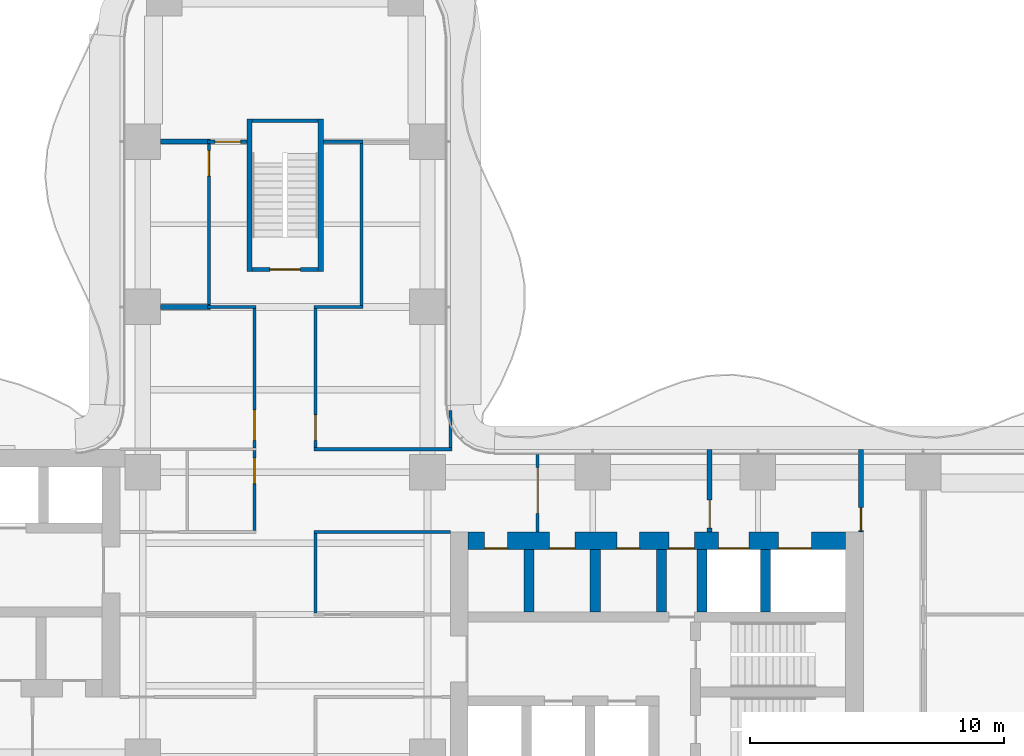
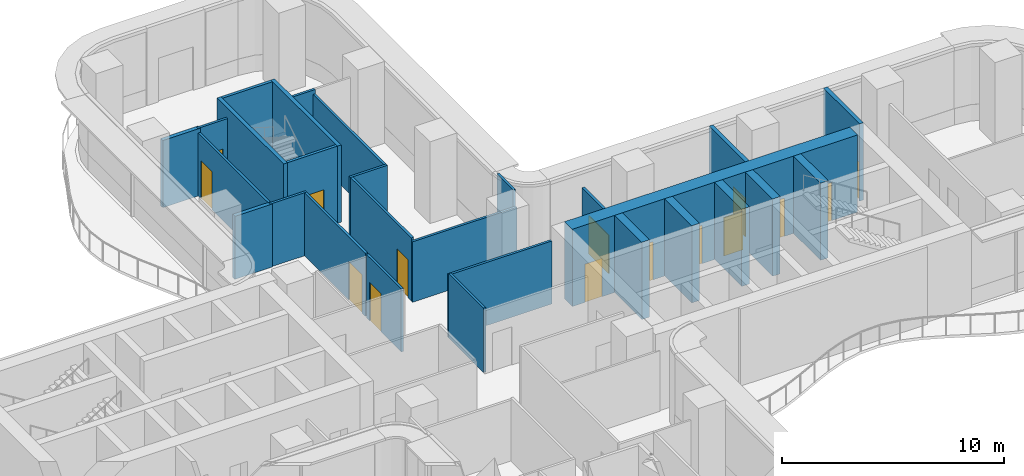
# One storey, part 19 of 22: 28 walls, 15 doors, 15 openings.
"""IFC4 building model written with IfcOpenShell, lengths in metres."""

from ifc_helpers import new_model, si_unit, direction, frame, frame_2d, origin, place, context, subcontext, project, spatial, rectangle, extrude, source, transform, mapped, material, layer, layer_set, type_object, element, fill, save


model = new_model("IFC4")

# Units and contexts
model_context = context("Model", 3, precision=1e-05, world=origin(), true_north=direction((0.0, 1.0)))
body_context = subcontext(model_context, "Body", "Model", "MODEL_VIEW")
ifc_project = project(units=[si_unit("LENGTHUNIT", "METRE"), si_unit("AREAUNIT", "SQUARE_METRE"), si_unit("VOLUMEUNIT", "CUBIC_METRE"), si_unit("PLANEANGLEUNIT", "RADIAN"), si_unit("MASSUNIT", "GRAM", prefix="KILO")], contexts=[model_context])

# Site, building, storey
site_placement = place(None, origin())
site = spatial("IfcSite", under=ifc_project, at=site_placement, CompositionType="ELEMENT")
building_placement = place(site_placement, origin())
building = spatial("IfcBuilding", under=site, at=building_placement, Name="Trellis Farm Tower", CompositionType="ELEMENT")
storey_placement = place(building_placement, frame((0.0, 0.0, 70.0)))
storey = spatial("IfcBuildingStorey", under=building, at=storey_placement, Name="L14", CompositionType="ELEMENT", Elevation=70.0)

# Walls
ifc_material_1 = material(Name="Concrete C80/95", Category="concrete")
ifc_layer_1 = layer(ifc_material_1, 0.39990234375)
ifc_layer_set_1 = layer_set([ifc_layer_1], Name="CORE INNER WALL 400 CONCRETE C80/95")
wall_type_1 = type_object("IfcWallType", Name="CORE INNER WALL 400 CONCRETE C80/95", PredefinedType="SHEAR", material=ifc_layer_set_1)
shared_shape_1 = source(origin(), body_context, "Body", "SweptSolid", [
    extrude(rectangle(XDim=2.449951171875, YDim=0.39990234375, at=frame_2d((1.22509765625, 0.0))), origin(), (0.0, 0.0, 1.0), 4.25),
])
for number, where, z_axis, x_axis, name in (
    (1, (9.60009765625, 0.10009765625, 0.0), (0.0, 0.0, 1.0), (0.0, 1.0, 0.0), "Core wall"),
    (2, (12.199951171875, 0.10009765625, 0.0), (0.0, 0.0, 1.0), (0.0, 1.0, 0.0), "Core wall"),
    (3, (14.800048828125, 0.10009765625, 0.0), (0.0, 0.0, 1.0), (0.0, 1.0, 0.0), "Core wall"),
    (4, (16.39990234375, 0.10009765625, 0.0), (0.0, 0.0, 1.0), (0.0, 1.0, 0.0), "Core wall"),
    (5, (18.89990234375, 0.10009765625, 0.0), (0.0, 0.0, 1.0), (0.0, 1.0, 0.0), "Core wall"),
):
    element("IfcWall", number, at=place(storey_placement, frame(where, z_axis=z_axis, x_axis=x_axis)), inside=storey, type_object=wall_type_1, Name=name, PredefinedType="SHEAR", context=body_context, shape_type="MappedRepresentation", body=[
        mapped(shared_shape_1, transform((0.0, 0.0, 0.0))),
    ])

# Wall, opening, door
ifc_material_2 = material(Name="Masonry blockwork", Category="masonry")
ifc_layer_2 = layer(ifc_material_2, 0.199951171875)
ifc_layer_set_2 = layer_set([ifc_layer_2], Name="FIRE LOBBY PARTITION 200 BLOCKWORK")
wall_type_2 = type_object("IfcWallType", Name="FIRE LOBBY PARTITION 200 BLOCKWORK", PredefinedType="PARTITIONING", material=ifc_layer_set_2)
shared_shape_2 = source(origin(), body_context, "Body", "SweptSolid", [
    extrude(rectangle(XDim=3.25, YDim=0.199951171875, at=frame_2d((1.625, 0.0))), origin(), (0.0, 0.0, 1.0), 4.25),
])
wall_1_placement = place(storey_placement, frame((16.699951171875, 3.25, 0.0), z_axis=(0.0, 0.0, 1.0), x_axis=(0.0, 1.0, 0.0)))
wall_1 = element("IfcWall", 6, at=wall_1_placement, inside=storey, type_object=wall_type_2, Name="Fire-fighting lobby partition", PredefinedType="PARTITIONING", context=body_context, shape_type="MappedRepresentation", body=[
    mapped(shared_shape_2, transform((0.0, 0.0, 0.0))),
])
shared_shape_3 = source(origin(), body_context, "Body", "SweptSolid", [
    extrude(rectangle(XDim=1.10009765625, YDim=2.10009765625, at=frame_2d((0.550048828125, 1.050048828125))), frame((0.0, 0.110107421875, 0.0), z_axis=(0.0, -1.0, 0.0), x_axis=(1.0, 0.0, 0.0)), (0.0, 0.0, 1.0), 0.22021484375),
])
opening_1_placement = place(wall_1_placement, frame((0.14990234375, 0.0, 0.0)))
opening_1 = element("IfcOpeningElement", 7, at=opening_1_placement, cuts=wall_1, Name="Opening DC7", PredefinedType="OPENING", context=body_context, shape_type="MappedRepresentation", body=[
    mapped(shared_shape_3, transform((0.0, 0.0, 0.0))),
])
ifc_material_3 = material(Name="Steel", Category="steel")
door_type_1 = type_object("IfcDoorType", Name="CORE FIRE DOOR 1100 X 2100", OperationType="NOTDEFINED", PredefinedType="DOOR", material=ifc_material_3)
shared_shape_4 = source(origin(), body_context, "Body", "SweptSolid", [
    extrude(rectangle(XDim=1.10009765625, YDim=2.10009765625, at=frame_2d((0.550048828125, 1.050048828125))), frame((0.0, 0.02490234375, 0.0), z_axis=(0.0, -1.0, 0.0), x_axis=(1.0, 0.0, 0.0)), (0.0, 0.0, 1.0), 0.050048828125),
])
door_1_placement = place(opening_1_placement, origin())
door_1 = element("IfcDoor", 8, at=door_1_placement, inside=storey, type_object=door_type_1, Name="Core door", OperationType="SINGLE_SWING_RIGHT", OverallHeight=2.10009765625, OverallWidth=1.10009765625, PredefinedType="DOOR", context=body_context, shape_type="MappedRepresentation", body=[
    mapped(shared_shape_4, transform((0.0, 0.0, 0.0))),
])
fill(opening_1, door_1)

wall_2_placement = place(storey_placement, frame((22.64990234375, 3.25, 0.0), z_axis=(0.0, 0.0, 1.0), x_axis=(0.0, 1.0, 0.0)))
wall_2 = element("IfcWall", 9, at=wall_2_placement, inside=storey, type_object=wall_type_2, Name="Fire-fighting lobby partition", PredefinedType="PARTITIONING", context=body_context, shape_type="MappedRepresentation", body=[
    mapped(shared_shape_2, transform((0.0, 0.0, 0.0))),
])
shared_shape_5 = source(origin(), body_context, "Body", "SweptSolid", [
    extrude(rectangle(XDim=0.89990234375, YDim=2.10009765625, at=frame_2d((0.449951171875, 1.050048828125))), frame((0.0, 0.110107421875, 0.0), z_axis=(0.0, -1.0, 0.0), x_axis=(1.0, 0.0, 0.0)), (0.0, 0.0, 1.0), 0.22021484375),
])
opening_2_placement = place(wall_2_placement, frame((0.050048828125, 0.0, 0.0)))
opening_2 = element("IfcOpeningElement", 10, at=opening_2_placement, cuts=wall_2, Name="Opening DC8", PredefinedType="OPENING", context=body_context, shape_type="MappedRepresentation", body=[
    mapped(shared_shape_5, transform((0.0, 0.0, 0.0))),
])
door_type_2 = type_object("IfcDoorType", Name="CORE FIRE DOOR 900 X 2100", OperationType="NOTDEFINED", PredefinedType="DOOR", material=ifc_material_3)
shared_shape_6 = source(origin(), body_context, "Body", "SweptSolid", [
    extrude(rectangle(XDim=0.89990234375, YDim=2.10009765625, at=frame_2d((0.449951171875, 1.050048828125))), frame((0.0, 0.02490234375, 0.0), z_axis=(0.0, -1.0, 0.0), x_axis=(1.0, 0.0, 0.0)), (0.0, 0.0, 1.0), 0.050048828125),
])
door_2_placement = place(opening_2_placement, origin())
door_2 = element("IfcDoor", 11, at=door_2_placement, inside=storey, type_object=door_type_2, Name="Core door", OperationType="SINGLE_SWING_RIGHT", OverallHeight=2.10009765625, OverallWidth=0.89990234375, PredefinedType="DOOR", context=body_context, shape_type="MappedRepresentation", body=[
    mapped(shared_shape_6, transform((0.0, 0.0, 0.0))),
])
fill(opening_2, door_2)

# Wall, openings, doors
ifc_layer_3 = layer(ifc_material_1, 0.699951171875)
ifc_layer_set_3 = layer_set([ifc_layer_3], Name="CORE OUTER WALL 700 CONCRETE C80/95")
wall_type_3 = type_object("IfcWallType", Name="CORE OUTER WALL 700 CONCRETE C80/95", PredefinedType="SHEAR", material=ifc_layer_set_3)
shared_shape_7 = source(origin(), body_context, "Body", "SweptSolid", [
    extrude(rectangle(XDim=14.85009765625, YDim=0.699951171875, at=frame_2d((7.425048828125, 0.0))), origin(), (0.0, 0.0, 1.0), 4.25),
])
wall_3_placement = place(storey_placement, frame((7.199951171875, 2.89990234375, 0.0), z_axis=(0.0, 0.0, 1.0), x_axis=(1.0, 0.0, 0.0)))
wall_3 = element("IfcWall", 12, at=wall_3_placement, inside=storey, type_object=wall_type_3, Name="Core wall", PredefinedType="SHEAR", context=body_context, shape_type="MappedRepresentation", body=[
    mapped(shared_shape_7, transform((0.0, 0.0, 0.0))),
])
shared_shape_8 = source(origin(), body_context, "Body", "SweptSolid", [
    extrude(rectangle(XDim=1.300048828125, YDim=2.10009765625, at=frame_2d((0.64990234375, 1.050048828125))), frame((0.0, 0.360107421875, 0.0), z_axis=(0.0, -1.0, 0.0), x_axis=(1.0, 0.0, 0.0)), (0.0, 0.0, 1.0), 0.72021484375),
])
opening_3_placement = place(wall_3_placement, frame((12.199951171875, 0.0, 0.0)))
opening_3 = element("IfcOpeningElement", 13, at=opening_3_placement, cuts=wall_3, Name="Opening LD7", PredefinedType="OPENING", context=body_context, shape_type="MappedRepresentation", body=[
    mapped(shared_shape_8, transform((0.0, 0.0, 0.0))),
])
shared_shape_9 = source(origin(), body_context, "Body", "SweptSolid", [
    extrude(rectangle(XDim=1.199951171875, YDim=2.10009765625, at=frame_2d((0.60009765625, 1.050048828125))), frame((0.0, 0.360107421875, 0.0), z_axis=(0.0, -1.0, 0.0), x_axis=(1.0, 0.0, 0.0)), (0.0, 0.0, 1.0), 0.72021484375),
])
opening_4_placement = place(wall_3_placement, frame((9.85009765625, 0.0, 0.0)))
opening_4 = element("IfcOpeningElement", 14, at=opening_4_placement, cuts=wall_3, Name="Opening LD8", PredefinedType="OPENING", context=body_context, shape_type="MappedRepresentation", body=[
    mapped(shared_shape_9, transform((0.0, 0.0, 0.0))),
])
shared_shape_10 = source(origin(), body_context, "Body", "SweptSolid", [
    extrude(rectangle(XDim=1.0, YDim=2.10009765625, at=frame_2d((0.5, 1.050048828125))), frame((0.0, 0.360107421875, 0.0), z_axis=(0.0, -1.0, 0.0), x_axis=(1.0, 0.0, 0.0)), (0.0, 0.0, 1.0), 0.72021484375),
])
opening_5_placement = place(wall_3_placement, frame((7.89990234375, 0.0, 0.0)))
opening_5 = element("IfcOpeningElement", 15, at=opening_5_placement, cuts=wall_3, Name="Opening DC6", PredefinedType="OPENING", context=body_context, shape_type="MappedRepresentation", body=[
    mapped(shared_shape_10, transform((0.0, 0.0, 0.0))),
])
shared_shape_11 = source(origin(), body_context, "Body", "SweptSolid", [
    extrude(rectangle(XDim=0.89990234375, YDim=2.10009765625, at=frame_2d((0.449951171875, 1.050048828125))), frame((0.0, 0.360107421875, 0.0), z_axis=(0.0, -1.0, 0.0), x_axis=(1.0, 0.0, 0.0)), (0.0, 0.0, 1.0), 0.72021484375),
])
opening_6_placement = place(wall_3_placement, frame((0.64990234375, 0.0, 0.0)))
opening_6 = element("IfcOpeningElement", 16, at=opening_6_placement, cuts=wall_3, Name="Opening DC11", PredefinedType="OPENING", context=body_context, shape_type="MappedRepresentation", body=[
    mapped(shared_shape_11, transform((0.0, 0.0, 0.0))),
])
opening_7_placement = place(wall_3_placement, frame((3.199951171875, 0.0, 0.0)))
opening_7 = element("IfcOpeningElement", 17, at=opening_7_placement, cuts=wall_3, Name="Opening DC26", PredefinedType="OPENING", context=body_context, shape_type="MappedRepresentation", body=[
    mapped(shared_shape_10, transform((0.0, 0.0, 0.0))),
])
opening_8_placement = place(wall_3_placement, frame((5.85009765625, 0.0, 0.0)))
opening_8 = element("IfcOpeningElement", 18, at=opening_8_placement, cuts=wall_3, Name="Opening DC35", PredefinedType="OPENING", context=body_context, shape_type="MappedRepresentation", body=[
    mapped(shared_shape_11, transform((0.0, 0.0, 0.0))),
])
door_type_3 = type_object("IfcDoorType", Name="CORE FIRE DOOR 1000 X 2100", OperationType="NOTDEFINED", PredefinedType="DOOR", material=ifc_material_3)
shared_shape_12 = source(origin(), body_context, "Body", "SweptSolid", [
    extrude(rectangle(XDim=1.0, YDim=2.10009765625, at=frame_2d((0.5, 1.050048828125))), frame((0.0, -0.27490234375, 0.0), z_axis=(0.0, -1.0, 0.0), x_axis=(1.0, 0.0, 0.0)), (0.0, 0.0, 1.0), 0.050048828125),
])
door_3_placement = place(opening_5_placement, origin())
door_3 = element("IfcDoor", 19, at=door_3_placement, inside=storey, type_object=door_type_3, Name="Core door", OperationType="SINGLE_SWING_LEFT", OverallHeight=2.10009765625, OverallWidth=1.0, PredefinedType="DOOR", context=body_context, shape_type="MappedRepresentation", body=[
    mapped(shared_shape_12, transform((0.0, 0.0, 0.0))),
])
fill(opening_5, door_3)
door_4_placement = place(opening_7_placement, origin())
door_4 = element("IfcDoor", 20, at=door_4_placement, inside=storey, type_object=door_type_3, Name="Core door", OperationType="SINGLE_SWING_RIGHT", OverallHeight=2.10009765625, OverallWidth=1.0, PredefinedType="DOOR", context=body_context, shape_type="MappedRepresentation", body=[
    mapped(shared_shape_12, transform((0.0, 0.0, 0.0))),
])
fill(opening_7, door_4)
shared_shape_13 = source(origin(), body_context, "Body", "SweptSolid", [
    extrude(rectangle(XDim=0.89990234375, YDim=2.10009765625, at=frame_2d((0.449951171875, 1.050048828125))), frame((0.0, -0.27490234375, 0.0), z_axis=(0.0, -1.0, 0.0), x_axis=(1.0, 0.0, 0.0)), (0.0, 0.0, 1.0), 0.050048828125),
])
door_5_placement = place(opening_6_placement, origin())
door_5 = element("IfcDoor", 21, at=door_5_placement, inside=storey, type_object=door_type_2, Name="Core door", OperationType="SINGLE_SWING_LEFT", OverallHeight=2.10009765625, OverallWidth=0.89990234375, PredefinedType="DOOR", context=body_context, shape_type="MappedRepresentation", body=[
    mapped(shared_shape_13, transform((0.0, 0.0, 0.0))),
])
fill(opening_6, door_5)
door_6_placement = place(opening_8_placement, origin())
door_6 = element("IfcDoor", 22, at=door_6_placement, inside=storey, type_object=door_type_2, Name="Core door", OperationType="SINGLE_SWING_LEFT", OverallHeight=2.10009765625, OverallWidth=0.89990234375, PredefinedType="DOOR", context=body_context, shape_type="MappedRepresentation", body=[
    mapped(shared_shape_13, transform((0.0, 0.0, 0.0))),
])
fill(opening_8, door_6)
ifc_material_4 = material(Name="Stainless steel", Category="steel")
door_type_4 = type_object("IfcDoorType", Name="LIFT LANDING DOOR 1300 X 2100", OperationType="DOUBLE_DOOR_SLIDING", PredefinedType="DOOR", material=ifc_material_4)
shared_shape_14 = source(origin(), body_context, "Body", "SweptSolid", [
    extrude(rectangle(XDim=1.300048828125, YDim=2.10009765625, at=frame_2d((0.64990234375, 1.050048828125))), frame((0.0, -0.27490234375, 0.0), z_axis=(0.0, -1.0, 0.0), x_axis=(1.0, 0.0, 0.0)), (0.0, 0.0, 1.0), 0.050048828125),
])
door_7_placement = place(opening_3_placement, origin())
door_7 = element("IfcDoor", 23, at=door_7_placement, inside=storey, type_object=door_type_4, Name="Lift landing door", OperationType="DOUBLE_DOOR_SLIDING", OverallHeight=2.10009765625, OverallWidth=1.300048828125, PredefinedType="DOOR", context=body_context, shape_type="MappedRepresentation", body=[
    mapped(shared_shape_14, transform((0.0, 0.0, 0.0))),
])
fill(opening_3, door_7)
door_type_5 = type_object("IfcDoorType", Name="LIFT LANDING DOOR 1200 X 2100", OperationType="DOUBLE_DOOR_SLIDING", PredefinedType="DOOR", material=ifc_material_4)
shared_shape_15 = source(origin(), body_context, "Body", "SweptSolid", [
    extrude(rectangle(XDim=1.199951171875, YDim=2.10009765625, at=frame_2d((0.60009765625, 1.050048828125))), frame((0.0, -0.27490234375, 0.0), z_axis=(0.0, -1.0, 0.0), x_axis=(1.0, 0.0, 0.0)), (0.0, 0.0, 1.0), 0.050048828125),
])
door_8_placement = place(opening_4_placement, origin())
door_8 = element("IfcDoor", 24, at=door_8_placement, inside=storey, type_object=door_type_5, Name="Lift landing door", OperationType="DOUBLE_DOOR_SLIDING", OverallHeight=2.10009765625, OverallWidth=1.199951171875, PredefinedType="DOOR", context=body_context, shape_type="MappedRepresentation", body=[
    mapped(shared_shape_15, transform((0.0, 0.0, 0.0))),
])
fill(opening_4, door_8)

# Walls
ifc_layer_4 = layer(ifc_material_1, 0.199951171875)
ifc_layer_set_4 = layer_set([ifc_layer_4], Name="CORE STAIR ENCLOSURE WALL 200 CONCRETE C80/95")
wall_type_4 = type_object("IfcWallType", Name="CORE STAIR ENCLOSURE WALL 200 CONCRETE C80/95", PredefinedType="SHEAR", material=ifc_layer_set_4)
shared_shape_16 = source(origin(), body_context, "Body", "SweptSolid", [
    extrude(rectangle(XDim=6.0, YDim=0.199951171875, at=frame_2d((3.0, 0.0))), origin(), (0.0, 0.0, 1.0), 4.25),
])
for number, where, z_axis, x_axis, name in (
    (25, (-1.39990234375, 13.5, 0.0), (0.0, 0.0, 1.0), (0.0, 1.0, 0.0), "Stair enclosure wall"),
    (26, (1.39990234375, 13.5, 0.0), (0.0, 0.0, 1.0), (0.0, 1.0, 0.0), "Stair enclosure wall"),
):
    element("IfcWall", number, at=place(storey_placement, frame(where, z_axis=z_axis, x_axis=x_axis)), inside=storey, type_object=wall_type_4, Name=name, PredefinedType="SHEAR", context=body_context, shape_type="MappedRepresentation", body=[
        mapped(shared_shape_16, transform((0.0, 0.0, 0.0))),
    ])

# Wall, opening, door
ifc_layer_5 = layer(ifc_material_1, 0.14990234375)
ifc_layer_set_5 = layer_set([ifc_layer_5], Name="CORE STAIR ENCLOSURE WALL 150 CONCRETE C80/95")
wall_type_5 = type_object("IfcWallType", Name="CORE STAIR ENCLOSURE WALL 150 CONCRETE C80/95", PredefinedType="SHEAR", material=ifc_layer_set_5)
shared_shape_17 = source(origin(), body_context, "Body", "SweptSolid", [
    extrude(rectangle(XDim=2.60009765625, YDim=0.14990234375, at=frame_2d((1.300048828125, 0.0))), origin(), (0.0, 0.0, 1.0), 4.25),
])
wall_4_placement = place(storey_placement, frame((-1.300048828125, 13.574951171875, 0.0), z_axis=(0.0, 0.0, 1.0), x_axis=(1.0, 0.0, 0.0)))
wall_4 = element("IfcWall", 27, at=wall_4_placement, inside=storey, type_object=wall_type_5, Name="Stair enclosure wall", PredefinedType="SHEAR", context=body_context, shape_type="MappedRepresentation", body=[
    mapped(shared_shape_17, transform((0.0, 0.0, 0.0))),
])
shared_shape_18 = source(origin(), body_context, "Body", "SweptSolid", [
    extrude(rectangle(XDim=1.199951171875, YDim=2.10009765625, at=frame_2d((0.60009765625, 1.050048828125))), frame((0.0, 0.0849609375, 0.0), z_axis=(0.0, -1.0, 0.0), x_axis=(1.0, 0.0, 0.0)), (0.0, 0.0, 1.0), 0.169921875),
])
opening_9_placement = place(wall_4_placement, frame((0.699951171875, 0.0, 0.0)))
opening_9 = element("IfcOpeningElement", 28, at=opening_9_placement, cuts=wall_4, Name="Opening DC173", PredefinedType="OPENING", context=body_context, shape_type="MappedRepresentation", body=[
    mapped(shared_shape_18, transform((0.0, 0.0, 0.0))),
])
door_type_6 = type_object("IfcDoorType", Name="CORE FIRE DOOR 1200 X 2100", OperationType="NOTDEFINED", PredefinedType="DOOR", material=ifc_material_3)
shared_shape_19 = source(origin(), body_context, "Body", "SweptSolid", [
    extrude(rectangle(XDim=1.199951171875, YDim=2.10009765625, at=frame_2d((0.60009765625, 1.050048828125))), frame((0.0, 0.02490234375, 0.0), z_axis=(0.0, -1.0, 0.0), x_axis=(1.0, 0.0, 0.0)), (0.0, 0.0, 1.0), 0.050048828125),
])
door_9_placement = place(opening_9_placement, origin())
door_9 = element("IfcDoor", 29, at=door_9_placement, inside=storey, type_object=door_type_6, Name="Core door", OperationType="SINGLE_SWING_LEFT", OverallHeight=2.10009765625, OverallWidth=1.199951171875, PredefinedType="DOOR", context=body_context, shape_type="MappedRepresentation", body=[
    mapped(shared_shape_19, transform((0.0, 0.0, 0.0))),
])
fill(opening_9, door_9)

# Walls
wall_5_placement = place(storey_placement, frame((-1.300048828125, 19.425048828125, 0.0), z_axis=(0.0, 0.0, 1.0), x_axis=(1.0, 0.0, 0.0)))
element("IfcWall", 30, at=wall_5_placement, inside=storey, type_object=wall_type_5, Name="Stair enclosure wall", PredefinedType="SHEAR", context=body_context, shape_type="MappedRepresentation", body=[
    mapped(shared_shape_17, transform((0.0, 0.0, 0.0))),
])
ifc_material_5 = material(Name="Plasterboard on steel studs, mineral wool", Category="steel")
ifc_layer_6 = layer(ifc_material_5, 0.125)
ifc_layer_set_6 = layer_set([ifc_layer_6], Name="PARTITION 125 STUD EI 60")
wall_type_6 = type_object("IfcWallType", Name="PARTITION 125 STUD EI 60", PredefinedType="PARTITIONING", material=ifc_layer_set_6)
shared_shape_20 = source(origin(), body_context, "Body", "SweptSolid", [
    extrude(rectangle(XDim=3.125, YDim=0.125, at=frame_2d((1.5625, 0.0))), origin(), (0.0, 0.0, 1.0), 3.54638671875),
])
wall_6_placement = place(storey_placement, frame((1.199951171875, 3.1875, 0.0), z_axis=(0.0, 0.0, 1.0), x_axis=(0.0, -1.0, 0.0)))
element("IfcWall", 31, at=wall_6_placement, inside=storey, type_object=wall_type_6, Name="Partition PW1", PredefinedType="PARTITIONING", context=body_context, shape_type="MappedRepresentation", body=[
    mapped(shared_shape_20, transform((0.0, 0.0, 0.0))),
])

# Wall, opening, door
shared_shape_21 = source(origin(), body_context, "Body", "SweptSolid", [
    extrude(rectangle(XDim=5.47509765625, YDim=0.125, at=frame_2d((2.737548828125, 0.0))), origin(), (0.0, 0.0, 1.0), 3.4677734375),
])
wall_7_placement = place(storey_placement, frame((1.199951171875, 12.03759765625, 0.0), z_axis=(0.0, 0.0, 1.0), x_axis=(0.0, -1.0, 0.0)))
wall_7 = element("IfcWall", 32, at=wall_7_placement, inside=storey, type_object=wall_type_6, Name="Partition PW1", PredefinedType="PARTITIONING", context=body_context, shape_type="MappedRepresentation", body=[
    mapped(shared_shape_21, transform((0.0, 0.0, 0.0))),
])
shared_shape_22 = source(origin(), body_context, "Body", "SweptSolid", [
    extrude(rectangle(XDim=1.0, YDim=2.10009765625, at=frame_2d((0.5, 1.050048828125))), frame((0.0, 0.072509765625, 0.0), z_axis=(0.0, -1.0, 0.0), x_axis=(1.0, 0.0, 0.0)), (0.0, 0.0, 1.0), 0.14501953125),
])
opening_10_placement = place(wall_7_placement, frame((4.1875, 0.0, 0.0)))
opening_10 = element("IfcOpeningElement", 33, at=opening_10_placement, cuts=wall_7, Name="Opening D112", PredefinedType="OPENING", context=body_context, shape_type="MappedRepresentation", body=[
    mapped(shared_shape_22, transform((0.0, 0.0, 0.0))),
])
ifc_material_6 = material(Name="Fire-rated timber door leaf in a hollow metal frame", Category="wood")
door_type_7 = type_object("IfcDoorType", Name="DOOR 1000x2100 FD30S", OperationType="NOTDEFINED", PredefinedType="DOOR", material=ifc_material_6)
shared_shape_23 = source(origin(), body_context, "Body", "SweptSolid", [
    extrude(rectangle(XDim=1.0, YDim=2.10009765625, at=frame_2d((0.5, 1.050048828125))), frame((0.0, 0.02490234375, 0.0), z_axis=(0.0, -1.0, 0.0), x_axis=(1.0, 0.0, 0.0)), (0.0, 0.0, 1.0), 0.050048828125),
])
door_10_placement = place(opening_10_placement, origin())
door_10 = element("IfcDoor", 34, at=door_10_placement, inside=storey, type_object=door_type_7, Name="Door D112", OperationType="SINGLE_SWING_RIGHT", OverallHeight=2.10009765625, OverallWidth=1.0, PredefinedType="DOOR", context=body_context, shape_type="MappedRepresentation", body=[
    mapped(shared_shape_23, transform((0.0, 0.0, 0.0))),
])
fill(opening_10, door_10)

# Walls
shared_shape_24 = source(origin(), body_context, "Body", "SweptSolid", [
    extrude(rectangle(XDim=1.468994140625, YDim=0.125, at=frame_2d((0.734375, 0.0))), origin(), (0.0, 0.0, 1.0), 4.25),
])
wall_8_placement = place(storey_placement, frame((6.5, 6.5625, 0.0), z_axis=(0.0, 0.0, 1.0), x_axis=(0.0, 1.0, 0.0)))
element("IfcWall", 35, at=wall_8_placement, inside=storey, type_object=wall_type_6, Name="Partition PW1", PredefinedType="PARTITIONING", context=body_context, shape_type="MappedRepresentation", body=[
    mapped(shared_shape_24, transform((0.0, 0.0, 0.0))),
])
shared_shape_25 = source(origin(), body_context, "Body", "SweptSolid", [
    extrude(rectangle(XDim=1.925048828125, YDim=0.125, at=frame_2d((0.96240234375, 0.0))), origin(), (0.0, 0.0, 1.0), 3.4677734375),
])
for number, where, z_axis, x_axis, name in (
    (36, (-1.137451171875, 12.10009765625, 0.0), (0.0, 0.0, 1.0), (-1.0, 0.0, 0.0), "Partition PW1"),
    (37, (3.0625, 12.10009765625, 0.0), (0.0, 0.0, 1.0), (-1.0, 0.0, 0.0), "Partition PW1"),
):
    element("IfcWall", number, at=place(storey_placement, frame(where, z_axis=z_axis, x_axis=x_axis)), inside=storey, type_object=wall_type_6, Name=name, PredefinedType="PARTITIONING", context=body_context, shape_type="MappedRepresentation", body=[
        mapped(shared_shape_25, transform((0.0, 0.0, 0.0))),
    ])
shared_shape_26 = source(origin(), body_context, "Body", "SweptSolid", [
    extrude(rectangle(XDim=5.362548828125, YDim=0.125, at=frame_2d((2.68115234375, 0.0))), origin(), (0.0, 0.0, 1.0), 3.4677734375),
])
wall_9_placement = place(storey_placement, frame((1.137451171875, 3.25, 0.0), z_axis=(0.0, 0.0, 1.0), x_axis=(1.0, 0.0, 0.0)))
element("IfcWall", 38, at=wall_9_placement, inside=storey, type_object=wall_type_6, Name="Partition PW1", PredefinedType="PARTITIONING", context=body_context, shape_type="MappedRepresentation", body=[
    mapped(shared_shape_26, transform((0.0, 0.0, 0.0))),
])
shared_shape_27 = source(origin(), body_context, "Body", "SweptSolid", [
    extrude(rectangle(XDim=5.425048828125, YDim=0.125, at=frame_2d((2.71240234375, 0.0))), origin(), (0.0, 0.0, 1.0), 3.330078125),
])
wall_10_placement = place(storey_placement, frame((1.137451171875, 6.5, 0.0), z_axis=(0.0, 0.0, 1.0), x_axis=(1.0, 0.0, 0.0)))
element("IfcWall", 39, at=wall_10_placement, inside=storey, type_object=wall_type_6, Name="Partition PW1", PredefinedType="PARTITIONING", context=body_context, shape_type="MappedRepresentation", body=[
    mapped(shared_shape_27, transform((0.0, 0.0, 0.0))),
])
ifc_material_7 = material(Name="Lightweight blockwork, plastered", Category="masonry")
ifc_layer_7 = layer(ifc_material_7, 0.199951171875)
ifc_layer_set_7 = layer_set([ifc_layer_7], Name="BLOCK WALL 200 EI 120")
wall_type_7 = type_object("IfcWallType", Name="BLOCK WALL 200 EI 120", PredefinedType="PARTITIONING", material=ifc_layer_set_7)
shared_shape_28 = source(origin(), body_context, "Body", "SweptSolid", [
    extrude(rectangle(XDim=1.96240234375, YDim=0.199951171875, at=frame_2d((0.981201171875, 0.0))), origin(), (0.0, 0.0, 1.0), 3.4677734375),
])
wall_11_placement = place(storey_placement, frame((-4.89990234375, 12.10009765625, 0.0), z_axis=(0.0, 0.0, 1.0), x_axis=(1.0, 0.0, 0.0)))
element("IfcWall", 40, at=wall_11_placement, inside=storey, type_object=wall_type_7, Name="Partition PW3", PredefinedType="PARTITIONING", context=body_context, shape_type="MappedRepresentation", body=[
    mapped(shared_shape_28, transform((0.0, 0.0, 0.0))),
])

# Wall, opening, door
shared_shape_29 = source(origin(), body_context, "Body", "SweptSolid", [
    extrude(rectangle(XDim=6.300048828125, YDim=0.125, at=frame_2d((3.14990234375, 0.0))), origin(), (0.0, 0.0, 1.0), 3.4677734375),
])
wall_12_placement = place(storey_placement, frame((-3.0, 12.199951171875, 0.0), z_axis=(0.0, 0.0, 1.0), x_axis=(0.0, 1.0, 0.0)))
wall_12 = element("IfcWall", 41, at=wall_12_placement, inside=storey, type_object=wall_type_6, Name="Partition PW1", PredefinedType="PARTITIONING", context=body_context, shape_type="MappedRepresentation", body=[
    mapped(shared_shape_29, transform((0.0, 0.0, 0.0))),
])
opening_11_placement = place(wall_12_placement, frame((5.050048828125, 0.0, 0.0)))
opening_11 = element("IfcOpeningElement", 42, at=opening_11_placement, cuts=wall_12, Name="Opening D113", PredefinedType="OPENING", context=body_context, shape_type="MappedRepresentation", body=[
    mapped(shared_shape_22, transform((0.0, 0.0, 0.0))),
])
door_11_placement = place(opening_11_placement, origin())
door_11 = element("IfcDoor", 43, at=door_11_placement, inside=storey, type_object=door_type_7, Name="Door D113", OperationType="SINGLE_SWING_RIGHT", OverallHeight=2.10009765625, OverallWidth=1.0, PredefinedType="DOOR", context=body_context, shape_type="MappedRepresentation", body=[
    mapped(shared_shape_23, transform((0.0, 0.0, 0.0))),
])
fill(opening_11, door_11)

shared_shape_30 = source(origin(), body_context, "Body", "SweptSolid", [
    extrude(rectangle(XDim=3.137451171875, YDim=0.125, at=frame_2d((1.56884765625, 0.0))), origin(), (0.0, 0.0, 1.0), 3.4677734375),
])
wall_13_placement = place(storey_placement, frame((-1.199951171875, 6.449951171875, 0.0), z_axis=(0.0, 0.0, 1.0), x_axis=(0.0, -1.0, 0.0)))
wall_13 = element("IfcWall", 44, at=wall_13_placement, inside=storey, type_object=wall_type_6, Name="Partition PW1", PredefinedType="PARTITIONING", context=body_context, shape_type="MappedRepresentation", body=[
    mapped(shared_shape_30, transform((0.0, 0.0, 0.0))),
])
opening_12_placement = place(wall_13_placement, frame((0.300048828125, 0.0, 0.0)))
opening_12 = element("IfcOpeningElement", 45, at=opening_12_placement, cuts=wall_13, Name="Opening D111", PredefinedType="OPENING", context=body_context, shape_type="MappedRepresentation", body=[
    mapped(shared_shape_22, transform((0.0, 0.0, 0.0))),
])
door_12_placement = place(opening_12_placement, origin())
door_12 = element("IfcDoor", 46, at=door_12_placement, inside=storey, type_object=door_type_7, Name="Door D111", OperationType="SINGLE_SWING_LEFT", OverallHeight=2.10009765625, OverallWidth=1.0, PredefinedType="DOOR", context=body_context, shape_type="MappedRepresentation", body=[
    mapped(shared_shape_23, transform((0.0, 0.0, 0.0))),
])
fill(opening_12, door_12)

shared_shape_31 = source(origin(), body_context, "Body", "SweptSolid", [
    extrude(rectangle(XDim=5.487548828125, YDim=0.125, at=frame_2d((2.74365234375, 0.0))), origin(), (0.0, 0.0, 1.0), 3.4677734375),
])
wall_14_placement = place(storey_placement, frame((-1.199951171875, 6.550048828125, 0.0), z_axis=(0.0, 0.0, 1.0), x_axis=(0.0, 1.0, 0.0)))
wall_14 = element("IfcWall", 47, at=wall_14_placement, inside=storey, type_object=wall_type_6, Name="Partition PW1", PredefinedType="PARTITIONING", context=body_context, shape_type="MappedRepresentation", body=[
    mapped(shared_shape_31, transform((0.0, 0.0, 0.0))),
])
shared_shape_32 = source(origin(), body_context, "Body", "SweptSolid", [
    extrude(rectangle(XDim=1.199951171875, YDim=2.10009765625, at=frame_2d((0.60009765625, 1.050048828125))), frame((0.0, 0.072509765625, 0.0), z_axis=(0.0, -1.0, 0.0), x_axis=(1.0, 0.0, 0.0)), (0.0, 0.0, 1.0), 0.14501953125),
])
opening_13_placement = place(wall_14_placement, frame((0.300048828125, 0.0, 0.0)))
opening_13 = element("IfcOpeningElement", 48, at=opening_13_placement, cuts=wall_14, Name="Opening D603", PredefinedType="OPENING", context=body_context, shape_type="MappedRepresentation", body=[
    mapped(shared_shape_32, transform((0.0, 0.0, 0.0))),
])
door_type_8 = type_object("IfcDoorType", Name="DOOR 1200x2100 FD30S", OperationType="NOTDEFINED", PredefinedType="DOOR", material=ifc_material_6)
door_13_placement = place(opening_13_placement, origin())
door_13 = element("IfcDoor", 49, at=door_13_placement, inside=storey, type_object=door_type_8, Name="Door D603", OperationType="SINGLE_SWING_LEFT", OverallHeight=2.10009765625, OverallWidth=1.199951171875, PredefinedType="DOOR", context=body_context, shape_type="MappedRepresentation", body=[
    mapped(shared_shape_19, transform((0.0, 0.0, 0.0))),
])
fill(opening_13, door_13)

shared_shape_33 = source(origin(), body_context, "Body", "SweptSolid", [
    extrude(rectangle(XDim=3.050048828125, YDim=0.125, at=frame_2d((1.52490234375, 0.0))), origin(), (0.0, 0.0, 1.0), 3.330078125),
])
wall_15_placement = place(storey_placement, frame((9.93408203125, 3.25, 0.0), z_axis=(0.0, 0.0, 1.0), x_axis=(0.0, 1.0, 0.0)))
wall_15 = element("IfcWall", 50, at=wall_15_placement, inside=storey, type_object=wall_type_6, Name="Partition PW1", PredefinedType="PARTITIONING", context=body_context, shape_type="MappedRepresentation", body=[
    mapped(shared_shape_33, transform((0.0, 0.0, 0.0))),
])
shared_shape_34 = source(origin(), body_context, "Body", "SweptSolid", [
    extrude(rectangle(XDim=1.800048828125, YDim=2.10009765625, at=frame_2d((0.89990234375, 1.050048828125))), frame((0.0, 0.072509765625, 0.0), z_axis=(0.0, -1.0, 0.0), x_axis=(1.0, 0.0, 0.0)), (0.0, 0.0, 1.0), 0.14501953125),
])
opening_14_placement = place(wall_15_placement, frame((0.72509765625, 0.0, 0.0)))
opening_14 = element("IfcOpeningElement", 51, at=opening_14_placement, cuts=wall_15, Name="Opening D402", PredefinedType="OPENING", context=body_context, shape_type="MappedRepresentation", body=[
    mapped(shared_shape_34, transform((0.0, 0.0, 0.0))),
])
door_type_9 = type_object("IfcDoorType", Name="DOOR PAIR 1800x2100 FD60", OperationType="NOTDEFINED", PredefinedType="DOOR", material=ifc_material_6)
shared_shape_35 = source(origin(), body_context, "Body", "SweptSolid", [
    extrude(rectangle(XDim=1.800048828125, YDim=2.10009765625, at=frame_2d((0.89990234375, 1.050048828125))), frame((0.0, 0.02490234375, 0.0), z_axis=(0.0, -1.0, 0.0), x_axis=(1.0, 0.0, 0.0)), (0.0, 0.0, 1.0), 0.050048828125),
])
door_14_placement = place(opening_14_placement, origin())
door_14 = element("IfcDoor", 52, at=door_14_placement, inside=storey, type_object=door_type_9, Name="Door D402", OperationType="DOUBLE_DOOR_SINGLE_SWING", OverallHeight=2.10009765625, OverallWidth=1.800048828125, PredefinedType="DOOR", context=body_context, shape_type="MappedRepresentation", body=[
    mapped(shared_shape_35, transform((0.0, 0.0, 0.0))),
])
fill(opening_14, door_14)

shared_shape_36 = source(origin(), body_context, "Body", "SweptSolid", [
    extrude(rectangle(XDim=1.5625, YDim=0.125, at=frame_2d((0.78125, 0.0))), origin(), (0.0, 0.0, 1.0), 3.697021484375),
])
wall_16_placement = place(storey_placement, frame((-3.0625, 18.60009765625, 0.0), z_axis=(0.0, 0.0, 1.0), x_axis=(1.0, 0.0, 0.0)))
wall_16 = element("IfcWall", 53, at=wall_16_placement, inside=storey, type_object=wall_type_6, Name="Partition PW1", PredefinedType="PARTITIONING", context=body_context, shape_type="MappedRepresentation", body=[
    mapped(shared_shape_36, transform((0.0, 0.0, 0.0))),
])
opening_15_placement = place(wall_16_placement, frame((0.3125, 0.0, 0.0)))
opening_15 = element("IfcOpeningElement", 54, at=opening_15_placement, cuts=wall_16, Name="Opening D114", PredefinedType="OPENING", context=body_context, shape_type="MappedRepresentation", body=[
    mapped(shared_shape_22, transform((0.0, 0.0, 0.0))),
])
door_15_placement = place(opening_15_placement, origin())
door_15 = element("IfcDoor", 55, at=door_15_placement, inside=storey, type_object=door_type_7, Name="Door D114", OperationType="SINGLE_SWING_RIGHT", OverallHeight=2.10009765625, OverallWidth=1.0, PredefinedType="DOOR", context=body_context, shape_type="MappedRepresentation", body=[
    mapped(shared_shape_23, transform((0.0, 0.0, 0.0))),
])
fill(opening_15, door_15)

# Walls
wall_17_placement = place(storey_placement, frame((1.5, 18.60009765625, 0.0), z_axis=(0.0, 0.0, 1.0), x_axis=(1.0, 0.0, 0.0)))
element("IfcWall", 56, at=wall_17_placement, inside=storey, type_object=wall_type_6, Name="Partition PW1", PredefinedType="PARTITIONING", context=body_context, shape_type="MappedRepresentation", body=[
    mapped(shared_shape_36, transform((0.0, 0.0, 0.0))),
])
shared_shape_37 = source(origin(), body_context, "Body", "SweptSolid", [
    extrude(rectangle(XDim=6.387451171875, YDim=0.125, at=frame_2d((3.19384765625, 0.0))), origin(), (0.0, 0.0, 1.0), 3.4677734375),
])
wall_18_placement = place(storey_placement, frame((3.0, 18.550048828125, 0.0), z_axis=(0.0, 0.0, 1.0), x_axis=(0.0, -1.0, 0.0)))
element("IfcWall", 57, at=wall_18_placement, inside=storey, type_object=wall_type_6, Name="Partition PW1", PredefinedType="PARTITIONING", context=body_context, shape_type="MappedRepresentation", body=[
    mapped(shared_shape_37, transform((0.0, 0.0, 0.0))),
])
shared_shape_38 = source(origin(), body_context, "Body", "SweptSolid", [
    extrude(rectangle(XDim=1.96240234375, YDim=0.199951171875, at=frame_2d((0.981201171875, 0.0))), origin(), (0.0, 0.0, 1.0), 3.697021484375),
])
wall_19_placement = place(storey_placement, frame((-4.89990234375, 18.60009765625, 0.0), z_axis=(0.0, 0.0, 1.0), x_axis=(1.0, 0.0, 0.0)))
element("IfcWall", 58, at=wall_19_placement, inside=storey, type_object=wall_type_7, Name="Partition PW3", PredefinedType="PARTITIONING", context=body_context, shape_type="MappedRepresentation", body=[
    mapped(shared_shape_38, transform((0.0, 0.0, 0.0))),
])

save(model, "model.ifc")
